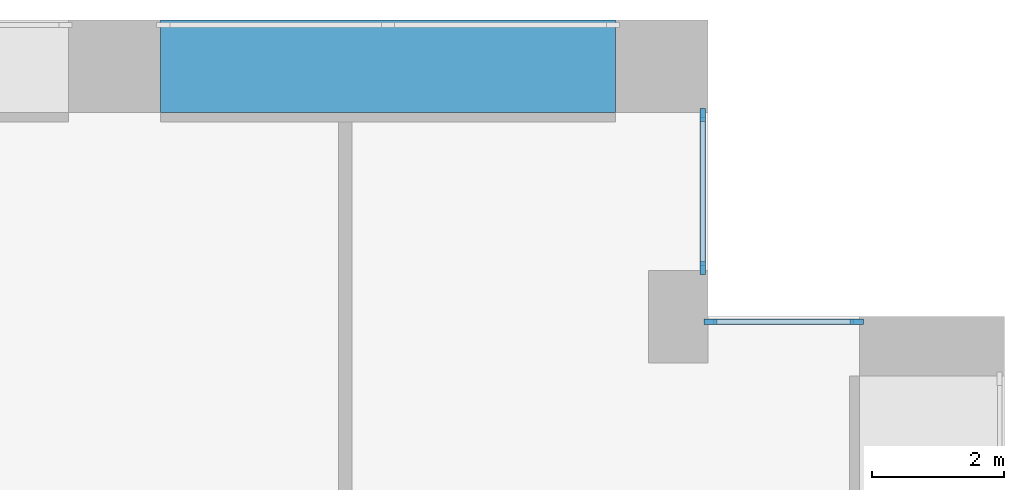
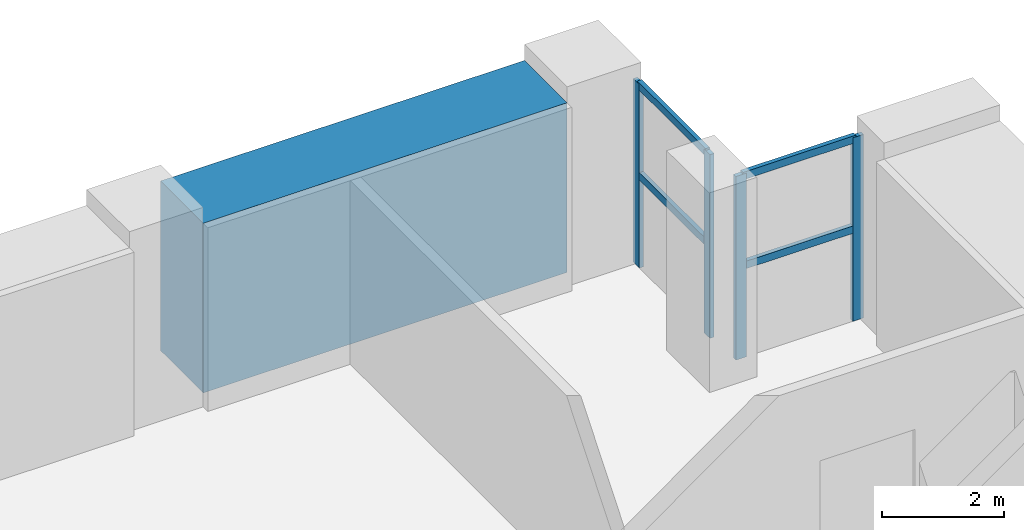
# One storey, part 11 of 24: 8 members, 1 beam, 2 elements without a shape of their own.
"""IFC4 building model written with IfcOpenShell, lengths in metres."""

from ifc_helpers import new_model, si_unit, direction, frame, origin, origin_2d, place, context, subcontext, project, spatial, rectangle, extrude, material, layer, layer_set, material_profile, profile_set, type_object, element, aggregate, save


model = new_model("IFC4")

# Units and contexts
model_context = context("Model", 3, precision=1e-05, world=origin(), true_north=direction((0.0, 1.0)))
body_context = subcontext(model_context, "Body", "Model", "MODEL_VIEW")
ifc_project = project(units=[si_unit("LENGTHUNIT", "METRE"), si_unit("AREAUNIT", "SQUARE_METRE"), si_unit("VOLUMEUNIT", "CUBIC_METRE"), si_unit("PLANEANGLEUNIT", "RADIAN"), si_unit("MASSUNIT", "GRAM", prefix="KILO")], contexts=[model_context])

# Site, building, storey
site_placement = place(None, origin())
site = spatial("IfcSite", under=ifc_project, at=site_placement, CompositionType="ELEMENT")
building_placement = place(site_placement, origin())
building = spatial("IfcBuilding", under=site, at=building_placement, Name="Brigalow Station Residences", CompositionType="ELEMENT")
storey_placement = place(building_placement, frame((0.0, 0.0, 15.5)))
storey = spatial("IfcBuildingStorey", under=building, at=storey_placement, Name="L03", CompositionType="ELEMENT", Elevation=15.5)

# Curtain wall, members
ifc_material_1 = material(Name="Aluminium", Category="aluminium")
ifc_layer = layer(ifc_material_1, 0.199951171875)
ifc_layer_set = layer_set([ifc_layer], Name="REFUGE FLOOR LOUVRE CURTAIN WALL")
curtain_wall_type = type_object("IfcCurtainWallType", Name="REFUGE FLOOR LOUVRE CURTAIN WALL", PredefinedType="NOTDEFINED", material=ifc_layer_set)
curtain_wall_1_placement = place(storey_placement, origin())
curtain_wall_1 = element("IfcCurtainWall", 1, at=curtain_wall_1_placement, inside=storey, type_object=curtain_wall_type, Name="L03/cw/louvre-W-L03-23-5", PredefinedType="NOTDEFINED")
ifc_material_2 = material(Name="Aluminium", Category="aluminium")
ifc_material_profile_1 = material_profile(ifc_material_2, rectangle(XDim=0.080078125, YDim=0.199951171875, at=origin_2d()), Name="REFUGE FLOOR LOUVRE MULLION 80x200")
ifc_profile_set_1 = profile_set([ifc_material_profile_1], Name="Aluminium")
member_type_1 = type_object("IfcMemberType", Name="REFUGE FLOOR LOUVRE MULLION 80x200", PredefinedType="MULLION", material=ifc_profile_set_1)
member_1_placement = place(storey_placement, frame((74.260009765625, 43.925048828125, 0.0), z_axis=(0.0, 0.0, 1.0), x_axis=(0.0, -1.0, 0.0)))
member_1 = element("IfcMember", 2, at=member_1_placement, type_object=member_type_1, Name="L03/cw/louvre-W-L03-23-5/M00", PredefinedType="MULLION", context=body_context, shape_type="SweptSolid", body=[
    extrude(rectangle(XDim=0.080078125, YDim=0.199951171875, at=origin_2d()), origin(), (0.0, 0.0, 1.0), 3.679931640625),
])
member_2_placement = place(storey_placement, frame((72.0400390625, 43.925048828125, 0.0), z_axis=(0.0, 0.0, 1.0), x_axis=(0.0, -1.0, 0.0)))
member_2 = element("IfcMember", 3, at=member_2_placement, type_object=member_type_1, Name="L03/cw/louvre-W-L03-23-5/M01", PredefinedType="MULLION", context=body_context, shape_type="SweptSolid", body=[
    extrude(rectangle(XDim=0.080078125, YDim=0.199951171875, at=origin_2d()), origin(), (0.0, 0.0, 1.0), 3.679931640625),
])

curtain_wall_2_placement = place(storey_placement, origin())
curtain_wall_2 = element("IfcCurtainWall", 4, at=curtain_wall_2_placement, inside=storey, type_object=curtain_wall_type, Name="L03/cw/louvre-W-L03-24-6", PredefinedType="NOTDEFINED")
member_3_placement = place(storey_placement, frame((71.925048828125, 44.739990234375, 0.0), z_axis=(0.0, 0.0, 1.0), x_axis=(-1.0, 0.0, 0.0)))
member_3 = element("IfcMember", 5, at=member_3_placement, type_object=member_type_1, Name="L03/cw/louvre-W-L03-24-6/M00", PredefinedType="MULLION", context=body_context, shape_type="SweptSolid", body=[
    extrude(rectangle(XDim=0.080078125, YDim=0.199951171875, at=origin_2d()), origin(), (0.0, 0.0, 1.0), 3.679931640625),
])
member_4_placement = place(storey_placement, frame((71.925048828125, 47.06005859375, 0.0), z_axis=(0.0, 0.0, 1.0), x_axis=(-1.0, 0.0, 0.0)))
member_4 = element("IfcMember", 6, at=member_4_placement, type_object=member_type_1, Name="L03/cw/louvre-W-L03-24-6/M01", PredefinedType="MULLION", context=body_context, shape_type="SweptSolid", body=[
    extrude(rectangle(XDim=0.080078125, YDim=0.199951171875, at=origin_2d()), origin(), (0.0, 0.0, 1.0), 3.679931640625),
])

# Member
ifc_material_3 = material(Name="Aluminium", Category="aluminium")
ifc_material_profile_2 = material_profile(ifc_material_3, rectangle(XDim=0.080078125, YDim=0.14990234375, at=origin_2d()), Name="REFUGE FLOOR LOUVRE TRANSOM 80x150")
ifc_profile_set_2 = profile_set([ifc_material_profile_2], Name="Aluminium")
member_type_2 = type_object("IfcMemberType", Name="REFUGE FLOOR LOUVRE TRANSOM 80x150", PredefinedType="USERDEFINED", material=ifc_profile_set_2)
member_5_placement = place(storey_placement, frame((74.219970703125, 43.925048828125, 1.840087890625), z_axis=(-1.0, 0.0, 0.0), x_axis=(0.0, -1.0, 0.0)))
member_5 = element("IfcMember", 7, at=member_5_placement, type_object=member_type_2, Name="L03/cw/louvre-W-L03-23-5/T00-00", ObjectType="TRANSOM", PredefinedType="USERDEFINED", context=body_context, shape_type="SweptSolid", body=[
    extrude(rectangle(XDim=0.080078125, YDim=0.14990234375, at=origin_2d()), origin(), (0.0, 0.0, 1.0), 2.139892578125),
])

member_6_placement = place(storey_placement, frame((74.219970703125, 43.925048828125, 3.639892578125), z_axis=(-1.0, 0.0, 0.0), x_axis=(0.0, -1.0, 0.0)))
member_6 = element("IfcMember", 8, at=member_6_placement, type_object=member_type_2, Name="L03/cw/louvre-W-L03-23-5/T00-01", ObjectType="TRANSOM", PredefinedType="USERDEFINED", context=body_context, shape_type="SweptSolid", body=[
    extrude(rectangle(XDim=0.080078125, YDim=0.14990234375, at=origin_2d()), origin(), (0.0, 0.0, 1.0), 2.139892578125),
])

aggregate(curtain_wall_1, [member_1, member_2, member_5, member_6])

member_7_placement = place(storey_placement, frame((71.925048828125, 44.780029296875, 1.840087890625), z_axis=(0.0, 1.0, 0.0), x_axis=(-1.0, 0.0, 0.0)))
member_7 = element("IfcMember", 9, at=member_7_placement, type_object=member_type_2, Name="L03/cw/louvre-W-L03-24-6/T00-00", ObjectType="TRANSOM", PredefinedType="USERDEFINED", context=body_context, shape_type="SweptSolid", body=[
    extrude(rectangle(XDim=0.080078125, YDim=0.14990234375, at=origin_2d()), origin(), (0.0, 0.0, 1.0), 2.239990234375),
])

member_8_placement = place(storey_placement, frame((71.925048828125, 44.780029296875, 3.639892578125), z_axis=(0.0, 1.0, 0.0), x_axis=(-1.0, 0.0, 0.0)))
member_8 = element("IfcMember", 10, at=member_8_placement, type_object=member_type_2, Name="L03/cw/louvre-W-L03-24-6/T00-01", ObjectType="TRANSOM", PredefinedType="USERDEFINED", context=body_context, shape_type="SweptSolid", body=[
    extrude(rectangle(XDim=0.080078125, YDim=0.14990234375, at=origin_2d()), origin(), (0.0, 0.0, 1.0), 2.239990234375),
])

aggregate(curtain_wall_2, [member_3, member_4, member_7, member_8])

# Beam
ifc_material_4 = material(Name="Concrete C80", Category="concrete")
ifc_material_profile_3 = material_profile(ifc_material_4, rectangle(XDim=1.39990234375, YDim=3.39990234375, at=origin_2d()), Name="RC1400x3400")
ifc_profile_set_3 = profile_set([ifc_material_profile_3], Name="Concrete C80")
beam_type = type_object("IfcBeamType", Name="TRANSFER GIRDER 1400x3400 C80", PredefinedType="USERDEFINED", material=ifc_profile_set_3)
beam_placement = place(storey_placement, frame((70.60009765625, 47.800048828125, 1.97998046875), z_axis=(-1.0, 0.0, 0.0), x_axis=(0.0, -1.0, 0.0)))
element("IfcBeam", 11, at=beam_placement, inside=storey, type_object=beam_type, Name="TRANSFER GIRDER N-2 L03", ObjectType="TRANSFER GIRDER", PredefinedType="USERDEFINED", context=body_context, shape_type="SweptSolid", body=[
    extrude(rectangle(XDim=1.39990234375, YDim=3.39990234375, at=origin_2d()), origin(), (0.0, 0.0, 1.0), 6.900146484375),
])

save(model, "model.ifc")
